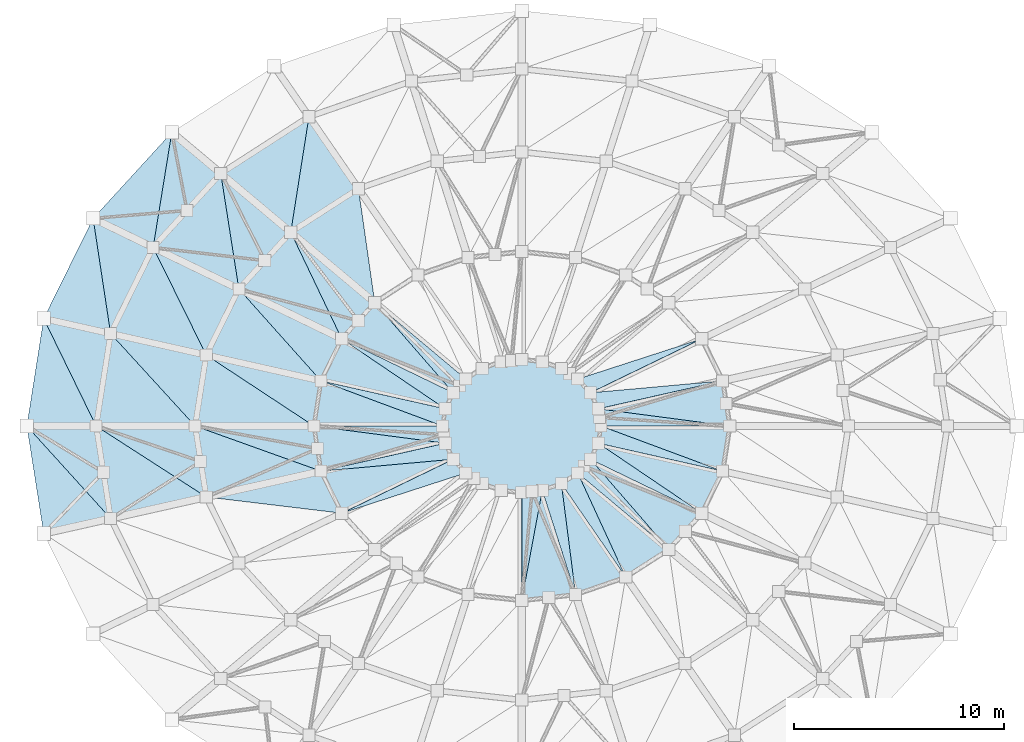
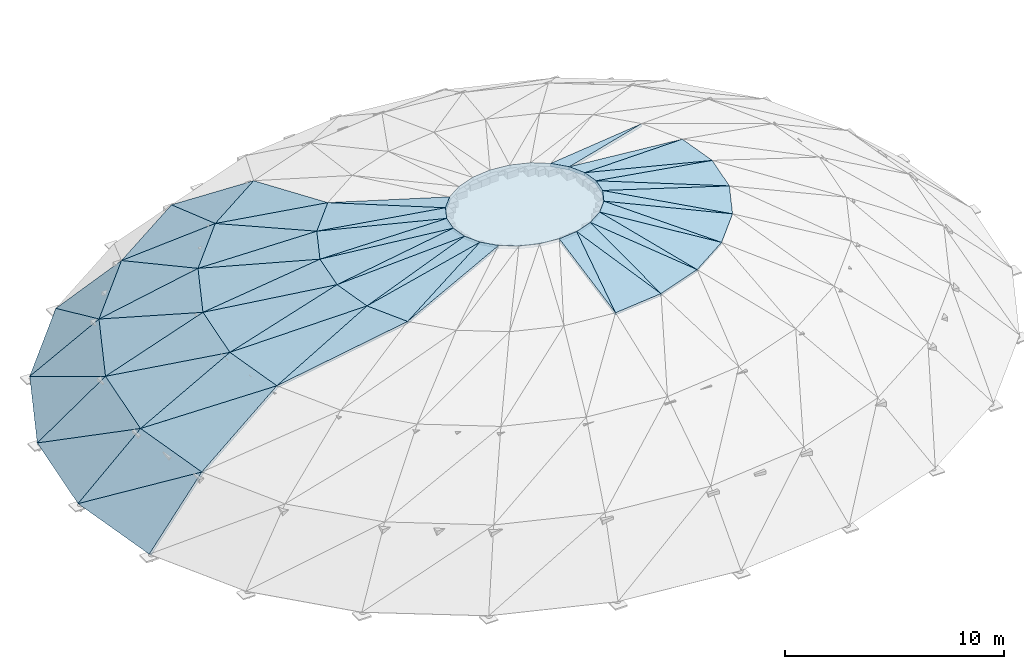
# One storey, part 6 of 11: 56 slabs.
"""IFC4 building model written with IfcOpenShell, lengths in metres."""

from ifc_helpers import new_model, si_unit, direction, frame, origin, place, context, subcontext, project, spatial, polyline, outline, extrude, material, layer, layer_set, type_object, element, save


model = new_model("IFC4")

# Units and contexts
model_context = context("Model", 3, precision=1e-05, world=origin(), true_north=direction((0.0, 1.0)))
body_context = subcontext(model_context, "Body", "Model", "MODEL_VIEW")
ifc_project = project(units=[si_unit("LENGTHUNIT", "METRE"), si_unit("AREAUNIT", "SQUARE_METRE"), si_unit("VOLUMEUNIT", "CUBIC_METRE"), si_unit("PLANEANGLEUNIT", "RADIAN"), si_unit("MASSUNIT", "GRAM", prefix="KILO")], contexts=[model_context])

# Site, building, storey
site_placement = place(None, origin())
site = spatial("IfcSite", under=ifc_project, at=site_placement, CompositionType="ELEMENT")
building_placement = place(site_placement, origin())
building = spatial("IfcBuilding", under=site, at=building_placement, Name="Parian Resonance Hall", CompositionType="ELEMENT")
storey_placement = place(building_placement, frame((0.0, 0.0, 27.60009765625)))
storey = spatial("IfcBuildingStorey", under=building, at=storey_placement, Name="ROOF", CompositionType="ELEMENT", Elevation=27.60009765625)

# Slabs
ifc_material_1 = material(Name="Concrete C35/45", Category="concrete")
ifc_layer_1 = layer(ifc_material_1, 0.159912109375)
ifc_layer_set_1 = layer_set([ifc_layer_1], Name="Concrete C35/45")
slab_type_1 = type_object("IfcSlabType", Name="SLB-DOME-160", PredefinedType="ROOF", material=ifc_layer_set_1)
slab_1_placement = place(storey_placement, frame((27.312255859375, 58.000732421875, -6.489990234375), z_axis=(-0.52118887834, 0.476662710547, 0.707922886669), x_axis=(-0.674882684077, -0.737925038695, 0.0)))
element("IfcSlab", 1, at=slab_1_placement, inside=storey, type_object=slab_type_1, Name="Main Concert Hall dome roof panel R1-10A", PredefinedType="ROOF", context=body_context, shape_type="SweptSolid", body=[
    extrude(outline(polyline([(0.0, 0.0), (5.557244791931365, -2.220446049250313e-16), (4.648938001719909, 4.303892271256128), (0.0, 0.0)])), origin(), (0.0, 0.0, -1.0), 0.159912109375),
])
slab_2_placement = place(storey_placement, frame((27.312255859375, 58.000732421875, -6.489990234375), z_axis=(-0.521153772231, 0.476668995412, 0.707944499592), x_axis=(-0.140349974122, -0.866069554756, 0.479818102085)))
element("IfcSlab", 2, at=slab_2_placement, inside=storey, type_object=slab_type_1, Name="Main Concert Hall dome roof panel R1-10B", PredefinedType="ROOF", context=body_context, shape_type="SweptSolid", body=[
    extrude(outline(polyline([(0.0, 0.0), (6.335306877051319, -2.220446049250313e-16), (2.82830527144801, 3.246895723326073), (0.0, 0.0)])), origin(), (0.0, 0.0, -1.0), 0.159912109375),
])
slab_3_placement = place(storey_placement, frame((23.561767578125, 53.89990234375, -6.489990234375), z_axis=(-0.619675759182, 0.305941145523, 0.72277380207), x_axis=(-0.442697046574, -0.896671246865, 0.0)))
element("IfcSlab", 3, at=slab_3_placement, inside=storey, type_object=slab_type_1, Name="Main Concert Hall dome roof panel R1-11A", PredefinedType="ROOF", context=body_context, shape_type="SweptSolid", body=[
    extrude(outline(polyline([(0.0, 0.0), (5.325687247911857, 2.220446049250313e-16), (4.556030102033177, 4.398585328576743), (0.0, 0.0)])), origin(), (0.0, 0.0, -1.0), 0.159912109375),
])
slab_4_placement = place(storey_placement, frame((23.561767578125, 53.89990234375, -6.489990234375), z_axis=(-0.619665594664, 0.305946303055, 0.72278033346), x_axis=(0.131653284698, -0.867331068559, 0.480004406375)))
element("IfcSlab", 4, at=slab_4_placement, inside=storey, type_object=slab_type_1, Name="Main Concert Hall dome roof panel R1-11B", PredefinedType="ROOF", context=body_context, shape_type="SweptSolid", body=[
    extrude(outline(polyline([(0.0, 0.0), (6.33284795201993, 0.0), (3.0379272062133946, 3.181117444778007), (0.0, 0.0)])), origin(), (0.0, 0.0, -1.0), 0.159912109375),
])
slab_5_placement = place(storey_placement, frame((21.2041015625, 49.12451171875, -6.489990234375), z_axis=(-0.673258687773, 0.105655746428, 0.731819378389), x_axis=(-0.155034419883, -0.98790906902, 0.0)))
element("IfcSlab", 5, at=slab_5_placement, inside=storey, type_object=slab_type_1, Name="Main Concert Hall dome roof panel R1-12A", PredefinedType="ROOF", context=body_context, shape_type="SweptSolid", body=[
    extrude(outline(polyline([(0.0, 0.0), (5.187230160600568, -1.1102230246251565e-16), (4.674965551542723, 4.46045632357856), (0.0, 0.0)])), origin(), (0.0, 0.0, -1.0), 0.159912109375),
])
slab_6_placement = place(storey_placement, frame((21.2041015625, 49.12451171875, -6.489990234375), z_axis=(-0.673290104899, 0.105625835202, 0.73179479199), x_axis=(0.386907105361, -0.793083998196, 0.470447301646)))
element("IfcSlab", 6, at=slab_6_placement, inside=storey, type_object=slab_type_1, Name="Main Concert Hall dome roof panel R1-12B", PredefinedType="ROOF", context=body_context, shape_type="SweptSolid", body=[
    extrude(outline(polyline([(0.0, 0.0), (6.461499324666305, 0.0), (3.233708452337362, 3.0794568774793047), (0.0, 0.0)])), origin(), (0.0, 0.0, -1.0), 0.159912109375),
])
slab_7_placement = place(storey_placement, frame((20.39990234375, 44.0, -6.489990234375), z_axis=(-0.673283575977, -0.10565965218, 0.731795917057), x_axis=(0.155034419883, -0.98790906902, 0.0)))
element("IfcSlab", 7, at=slab_7_placement, inside=storey, type_object=slab_type_1, Name="Main Concert Hall dome roof panel R1-13A", PredefinedType="ROOF", context=body_context, shape_type="SweptSolid", body=[
    extrude(outline(polyline([(0.0, 0.0), (5.187230160600568, 0.0), (4.973395466248725, 4.460291440978285), (0.0, 0.0)])), origin(), (0.0, 0.0, -1.0), 0.159912109375),
])
slab_8_placement = place(storey_placement, frame((20.39990234375, 44.0, -6.489990234375), z_axis=(-0.673261165671, -0.105621295213, 0.731822071816), x_axis=(0.598101224401, -0.65971668721, 0.455026172859)))
element("IfcSlab", 8, at=slab_8_placement, inside=storey, type_object=slab_type_1, Name="Main Concert Hall dome roof panel R1-13B", PredefinedType="ROOF", context=body_context, shape_type="SweptSolid", body=[
    extrude(outline(polyline([(0.0, 0.0), (6.6804836802560565, 0.0), (3.359431847975686, 2.9786411840051867), (0.0, 0.0)])), origin(), (0.0, 0.0, -1.0), 0.159912109375),
])
slab_9_placement = place(storey_placement, frame((33.85205078125, 58.74658203125, -3.4501953125), z_axis=(-0.286855152168, 0.445577873951, 0.848041555538), x_axis=(-0.84082444834, -0.54130790413, 0.0)))
element("IfcSlab", 9, at=slab_9_placement, inside=storey, type_object=slab_type_1, Name="Main Concert Hall dome roof panel R2-09A", PredefinedType="ROOF", context=body_context, shape_type="SweptSolid", body=[
    extrude(outline(polyline([(0.0, 0.0), (4.999104330187486, 2.220446049250313e-16), (3.708623408228049, 4.9064951499056475), (0.0, 0.0)])), origin(), (0.0, 0.0, -1.0), 0.159912109375),
])
slab_10_placement = place(storey_placement, frame((33.85205078125, 58.74658203125, -3.4501953125), z_axis=(-0.286845195065, 0.445577893533, 0.848044913235), x_axis=(-0.140798149985, -0.895241239528, 0.422751704916)))
element("IfcSlab", 10, at=slab_10_placement, inside=storey, type_object=slab_type_1, Name="Main Concert Hall dome roof panel R2-09B", PredefinedType="ROOF", context=body_context, shape_type="SweptSolid", body=[
    extrude(outline(polyline([(0.0, 0.0), (6.150413176373167, 0.0), (3.8371104568486585, 3.0605763550894673), (0.0, 0.0)])), origin(), (0.0, 0.0, -1.0), 0.159912109375),
])
slab_11_placement = place(storey_placement, frame((29.648681640625, 56.04052734375, -3.4501953125), z_axis=(-0.37841935447, 0.346118138543, 0.858487639011), x_axis=(-0.674912283642, -0.737897966788, 0.0)))
element("IfcSlab", 11, at=slab_11_placement, inside=storey, type_object=slab_type_1, Name="Main Concert Hall dome roof panel R2-10A", PredefinedType="ROOF", context=body_context, shape_type="SweptSolid", body=[
    extrude(outline(polyline([(0.0, 0.0), (4.779266899834884, -4.440892098500626e-16), (3.481487638516458, 5.0700545607304175), (0.0, 0.0)])), origin(), (0.0, 0.0, -1.0), 0.159912109375),
])
slab_12_placement = place(storey_placement, frame((29.648681640625, 56.04052734375, -3.4501953125), z_axis=(-0.378439438745, 0.346111985336, 0.858481266429), x_axis=(0.140165573475, -0.895336876161, 0.422759376241)))
element("IfcSlab", 12, at=slab_12_placement, inside=storey, type_object=slab_type_1, Name="Main Concert Hall dome roof panel R2-10B", PredefinedType="ROOF", context=body_context, shape_type="SweptSolid", body=[
    extrude(outline(polyline([(0.0, 0.0), (6.15030157194964, 1.1102230246251565e-16), (4.073991547619597, 3.0235126154711174), (0.0, 0.0)])), origin(), (0.0, 0.0, -1.0), 0.159912109375),
])
slab_13_placement = place(storey_placement, frame((26.423095703125, 52.513916015625, -3.4501953125), z_axis=(-0.445487373196, 0.21994962454, 0.867849735258), x_axis=(-0.442708885431, -0.896665401786, 0.0)))
element("IfcSlab", 13, at=slab_13_placement, inside=storey, type_object=slab_type_1, Name="Main Concert Hall dome roof panel R2-11A", PredefinedType="ROOF", context=body_context, shape_type="SweptSolid", body=[
    extrude(outline(polyline([(0.0, 0.0), (4.579957523669543, -2.220446049250313e-16), (3.480824783328268, 5.233408958149523), (0.0, 0.0)])), origin(), (0.0, 0.0, -1.0), 0.159912109375),
])
slab_14_placement = place(storey_placement, frame((26.423095703125, 52.513916015625, -3.4501953125), z_axis=(-0.445488249327, 0.219949039598, 0.867849433768), x_axis=(0.402765705881, -0.81648520953, 0.413680660395)))
element("IfcSlab", 14, at=slab_14_placement, inside=storey, type_object=slab_type_1, Name="Main Concert Hall dome roof panel R2-11B", PredefinedType="ROOF", context=body_context, shape_type="SweptSolid", body=[
    extrude(outline(polyline([(0.0, 0.0), (6.285277280714985, -2.220446049250313e-16), (4.33859870509257, 2.9268149131881556), (0.0, 0.0)])), origin(), (0.0, 0.0, -1.0), 0.159912109375),
])
slab_15_placement = place(storey_placement, frame((24.3955078125, 48.4072265625, -3.4501953125), z_axis=(-0.481128330901, 0.075479472253, 0.873394743786), x_axis=(-0.154984525505, -0.987916897747, 0.0)))
element("IfcSlab", 15, at=slab_15_placement, inside=storey, type_object=slab_type_1, Name="Main Concert Hall dome roof panel R2-12A", PredefinedType="ROOF", context=body_context, shape_type="SweptSolid", body=[
    extrude(outline(polyline([(0.0, 0.0), (4.461130862880468, 0.0), (3.729608443058335, 5.338867502541398), (0.0, 0.0)])), origin(), (0.0, 0.0, -1.0), 0.159912109375),
])
slab_16_placement = place(storey_placement, frame((24.3955078125, 48.4072265625, -3.4501953125), z_axis=(-0.481135100106, 0.075471491556, 0.873391704453), x_axis=(0.618583505224, -0.676726830877, 0.399243338624)))
element("IfcSlab", 16, at=slab_16_placement, inside=storey, type_object=slab_type_1, Name="Main Concert Hall dome roof panel R2-12B", PredefinedType="ROOF", context=body_context, shape_type="SweptSolid", body=[
    extrude(outline(polyline([(0.0, 0.0), (6.512563654063172, 8.881784197001252e-16), (4.55198874408036, 2.8064320012955086), (0.0, 0.0)])), origin(), (0.0, 0.0, -1.0), 0.159912109375),
])
slab_17_placement = place(storey_placement, frame((23.7041015625, 44.0, -3.4501953125), z_axis=(-0.481133273543, -0.075480247655, 0.873391953995), x_axis=(0.154984525505, -0.987916897747, 0.0)))
element("IfcSlab", 17, at=slab_17_placement, inside=storey, type_object=slab_type_1, Name="Main Concert Hall dome roof panel R2-13A", PredefinedType="ROOF", context=body_context, shape_type="SweptSolid", body=[
    extrude(outline(polyline([(0.0, 0.0), (4.461130862880468, 0.0), (4.154958493652965, 5.338812656804078), (0.0, 0.0)])), origin(), (0.0, 0.0, -1.0), 0.159912109375),
])
slab_18_placement = place(storey_placement, frame((23.7041015625, 44.0, -3.4501953125), z_axis=(-0.481128659264, -0.075470481237, 0.873395339864), x_axis=(0.776113728035, -0.499930413581, 0.384339775112)))
element("IfcSlab", 18, at=slab_18_placement, inside=storey, type_object=slab_type_1, Name="Main Concert Hall dome roof panel R2-13B", PredefinedType="ROOF", context=body_context, shape_type="SweptSolid", body=[
    extrude(outline(polyline([(0.0, 0.0), (6.765101674655772, -5.551115123125783e-16), (4.662555007089803, 2.7017053996053786), (0.0, 0.0)])), origin(), (0.0, 0.0, -1.0), 0.159912109375),
])
slab_19_placement = place(storey_placement, frame((36.2119140625, 55.317138671875, -0.85009765625), z_axis=(-0.18357102542, 0.285154474356, 0.940738329389), x_axis=(-0.840833011085, -0.541294603216, 0.0)))
element("IfcSlab", 19, at=slab_19_placement, inside=storey, type_object=slab_type_1, Name="Main Concert Hall dome roof panel R3-09A", PredefinedType="ROOF", context=body_context, shape_type="SweptSolid", body=[
    extrude(outline(polyline([(0.0, 0.0), (3.83646935312824, 2.220446049250313e-16), (2.2876344110409503, 5.307791433637107), (0.0, 0.0)])), origin(), (0.0, 0.0, -1.0), 0.159912109375),
])
slab_20_placement = place(storey_placement, frame((32.986083984375, 53.240478515625, -0.85009765625), z_axis=(-0.240428821429, 0.219890656727, 0.945432219099), x_axis=(-0.674886246736, -0.737921780385, 0.0)))
element("IfcSlab", 20, at=slab_20_placement, inside=storey, type_object=slab_type_1, Name="Main Concert Hall dome roof panel R3-10A", PredefinedType="ROOF", context=body_context, shape_type="SweptSolid", body=[
    extrude(outline(polyline([(0.0, 0.0), (3.6677911408702673, 0.0), (2.1105744165722493, 5.524692206756239), (0.0, 0.0)])), origin(), (0.0, 0.0, -1.0), 0.159912109375),
])
slab_21_placement = place(storey_placement, frame((32.986083984375, 53.240478515625, -0.85009765625), z_axis=(-0.240436878995, 0.219886427112, 0.945431153703), x_axis=(0.410869912836, -0.859388108653, 0.304364901773)))
element("IfcSlab", 21, at=slab_21_placement, inside=storey, type_object=slab_type_1, Name="Main Concert Hall dome roof panel R3-10B", PredefinedType="ROOF", context=body_context, shape_type="SweptSolid", body=[
    extrude(outline(polyline([(0.0, 0.0), (5.91411433329475, -4.440892098500626e-16), (5.081094209044392, 2.1803718076597685), (0.0, 0.0)])), origin(), (0.0, 0.0, -1.0), 0.159912109375),
])
slab_22_placement = place(storey_placement, frame((30.5107421875, 50.533935546875, -0.85009765625), z_axis=(-0.281201741503, 0.138836553086, 0.949552522035), x_axis=(-0.442707238803, -0.896666214771, 0.0)))
element("IfcSlab", 22, at=slab_22_placement, inside=storey, type_object=slab_type_1, Name="Main Concert Hall dome roof panel R3-11A", PredefinedType="ROOF", context=body_context, shape_type="SweptSolid", body=[
    extrude(outline(polyline([(0.0, 0.0), (3.5150822199271383, -2.220446049250313e-16), (2.195609198008576, 5.73980431448647), (0.0, 0.0)])), origin(), (0.0, 0.0, -1.0), 0.159912109375),
])
slab_23_placement = place(storey_placement, frame((30.5107421875, 50.533935546875, -0.85009765625), z_axis=(-0.28120073674, 0.138837515303, 0.949552678897), x_axis=(0.637067277799, -0.712986183254, 0.292909518534)))
element("IfcSlab", 23, at=slab_23_placement, inside=storey, type_object=slab_type_1, Name="Main Concert Hall dome roof panel R3-11B", PredefinedType="ROOF", context=body_context, shape_type="SweptSolid", body=[
    extrude(outline(polyline([(0.0, 0.0), (6.145409125434804, 1.1102230246251565e-16), (5.346279092066637, 2.089126079382889), (0.0, 0.0)])), origin(), (0.0, 0.0, -1.0), 0.159912109375),
])
slab_24_placement = place(storey_placement, frame((28.95458984375, 47.382080078125, -0.85009765625), z_axis=(-0.302545280362, 0.047457654965, 0.951952795214), x_axis=(-0.154966404102, -0.987919740465, 0.0)))
element("IfcSlab", 24, at=slab_24_placement, inside=storey, type_object=slab_type_1, Name="Main Concert Hall dome roof panel R3-12A", PredefinedType="ROOF", context=body_context, shape_type="SweptSolid", body=[
    extrude(outline(polyline([(0.0, 0.0), (3.4234360744067684, 1.1102230246251565e-16), (2.5457345097656887, 5.877810319758039), (0.0, 0.0)])), origin(), (0.0, 0.0, -1.0), 0.159912109375),
])
slab_25_placement = place(storey_placement, frame((28.95458984375, 47.382080078125, -0.85009765625), z_axis=(-0.3025241115, 0.047492442186, 0.951957787875), x_axis=(0.801399435121, -0.528002776312, 0.281019596459)))
element("IfcSlab", 25, at=slab_25_placement, inside=storey, type_object=slab_type_1, Name="Main Concert Hall dome roof panel R3-12B", PredefinedType="ROOF", context=body_context, shape_type="SweptSolid", body=[
    extrude(outline(polyline([(0.0, 0.0), (6.405421012647494, 1.6653345369377348e-16), (5.539762893077539, 1.9993473216651383), (0.0, 0.0)])), origin(), (0.0, 0.0, -1.0), 0.159912109375),
])
slab_26_placement = place(storey_placement, frame((28.424072265625, 44.0, -0.85009765625), z_axis=(-0.302532156564, -0.047455596348, 0.951957068685), x_axis=(0.154966404102, -0.987919740465, 0.0)))
element("IfcSlab", 26, at=slab_26_placement, inside=storey, type_object=slab_type_1, Name="Main Concert Hall dome roof panel R3-13A", PredefinedType="ROOF", context=body_context, shape_type="SweptSolid", body=[
    extrude(outline(polyline([(0.0, 0.0), (3.4234360744067684, -5.551115123125783e-17), (3.056406138667769, 5.87806529824566), (0.0, 0.0)])), origin(), (0.0, 0.0, -1.0), 0.159912109375),
])
slab_27_placement = place(storey_placement, frame((28.424072265625, 44.0, -0.85009765625), z_axis=(-0.30254473295, -0.047495679492, 0.951951072794), x_axis=(0.905891040228, -0.324872286159, 0.27169729649)))
element("IfcSlab", 27, at=slab_27_placement, inside=storey, type_object=slab_type_1, Name="Main Concert Hall dome roof panel R3-13B", PredefinedType="ROOF", context=body_context, shape_type="SweptSolid", body=[
    extrude(outline(polyline([(0.0, 0.0), (6.625199629816889, 1.1102230246251565e-16), (5.619870705389183, 1.932890955624757), (0.0, 0.0)])), origin(), (0.0, 0.0, -1.0), 0.159912109375),
])
slab_28_placement = place(storey_placement, frame((28.95458984375, 40.617919921875, -0.85009765625), z_axis=(-0.281201418551, -0.138837851934, 0.949552427765), x_axis=(0.95693656087, -0.114907594289, 0.266587065038)))
element("IfcSlab", 28, at=slab_28_placement, inside=storey, type_object=slab_type_1, Name="Main Concert Hall dome roof panel R3-14B", PredefinedType="ROOF", context=body_context, shape_type="SweptSolid", body=[
    extrude(outline(polyline([(0.0, 0.0), (6.752198678015929, 5.551115123125783e-17), (5.574146779097644, 1.9013811583277436), (0.0, 0.0)])), origin(), (0.0, 0.0, -1.0), 0.159912109375),
])
slab_29_placement = place(storey_placement, frame((53.912109375, 44.0, 0.949951171875), z_axis=(0.162360648231, 0.025488559114, 0.986402226914), x_axis=(-0.155087856552, 0.987900681622, 0.0)))
element("IfcSlab", 29, at=slab_29_placement, inside=storey, type_object=slab_type_1, Name="Main Concert Hall dome roof panel R4-01A", PredefinedType="ROOF", context=body_context, shape_type="SweptSolid", body=[
    extrude(outline(polyline([(0.0, 0.0), (2.178704590491091, 0.0), (1.7815136659857258, 6.145512147059733), (0.0, 0.0)])), origin(), (0.0, 0.0, -1.0), 0.159912109375),
])
slab_30_placement = place(storey_placement, frame((53.912109375, 44.0, 0.949951171875), z_axis=(0.162359654267, 0.025480505598, 0.986402598588), x_axis=(-0.979115260481, 0.128127081746, 0.157850427988)))
element("IfcSlab", 30, at=slab_30_placement, inside=storey, type_object=slab_type_1, Name="Main Concert Hall dome roof panel R4-01B", PredefinedType="ROOF", context=body_context, shape_type="SweptSolid", body=[
    extrude(outline(polyline([(0.0, 0.0), (6.398524086986984, 2.636779683484747e-16), (6.1675073675587315, 0.7970551821439218), (0.0, 0.0)])), origin(), (0.0, 0.0, -1.0), 0.159912109375),
])
slab_31_placement = place(storey_placement, frame((53.57421875, 46.15234375, 0.949951171875), z_axis=(0.151190310318, 0.074629082889, 0.985683514143), x_axis=(-0.983518595641, -0.088669788965, 0.15757169972)))
element("IfcSlab", 31, at=slab_31_placement, inside=storey, type_object=slab_type_1, Name="Main Concert Hall dome roof panel R4-02B", PredefinedType="ROOF", context=body_context, shape_type="SweptSolid", body=[
    extrude(outline(polyline([(0.0, 0.0), (6.409842423608897, 0.0), (6.106619818431762, 0.7964135692619715), (0.0, 0.0)])), origin(), (0.0, 0.0, -1.0), 0.159912109375),
])
slab_32_placement = place(storey_placement, frame((52.583984375, 48.157958984375, 0.949951171875), z_axis=(0.129658216516, 0.118608074506, 0.98443936916), x_axis=(-0.938919185329, -0.30449756935, 0.16034959832)))
element("IfcSlab", 32, at=slab_32_placement, inside=storey, type_object=slab_type_1, Name="Main Concert Hall dome roof panel R4-03B", PredefinedType="ROOF", context=body_context, shape_type="SweptSolid", body=[
    extrude(outline(polyline([(0.0, 0.0), (6.298798227165297, 1.249000902703301e-16), (5.935107214300637, 0.8112889323370273), (0.0, 0.0)])), origin(), (0.0, 0.0, -1.0), 0.159912109375),
])
slab_33_placement = place(storey_placement, frame((36.9912109375, 49.88037109375, 0.949951171875), z_axis=(-0.129669089383, 0.118586104139, 0.984440583867), x_axis=(-0.674866861926, -0.737939508817, 0.0)))
element("IfcSlab", 33, at=slab_33_placement, inside=storey, type_object=slab_type_1, Name="Main Concert Hall dome roof panel R4-10A", PredefinedType="ROOF", context=body_context, shape_type="SweptSolid", body=[
    extrude(outline(polyline([(0.0, 0.0), (2.3340830634413186, 0.0), (0.647301843903759, 5.747908880139925), (0.0, 0.0)])), origin(), (0.0, 0.0, -1.0), 0.159912109375),
])
slab_34_placement = place(storey_placement, frame((36.9912109375, 49.88037109375, 0.949951171875), z_axis=(-0.12965127015, 0.118601720144, 0.984441049595), x_axis=(0.646371554742, -0.742774364657, 0.174614021286)))
element("IfcSlab", 34, at=slab_34_placement, inside=storey, type_object=slab_type_1, Name="Main Concert Hall dome roof panel R4-10B", PredefinedType="ROOF", context=body_context, shape_type="SweptSolid", body=[
    extrude(outline(polyline([(0.0, 0.0), (5.784242056787787, 1.1449174941446927e-16), (5.684863776446919, 0.8835071261555091), (0.0, 0.0)])), origin(), (0.0, 0.0, -1.0), 0.159912109375),
])
slab_35_placement = place(storey_placement, frame((35.416015625, 48.157958984375, 0.949951171875), z_axis=(-0.151186514817, 0.074645466111, 0.985682855754), x_axis=(-0.442710977497, -0.896664368871, 0.0)))
element("IfcSlab", 35, at=slab_35_placement, inside=storey, type_object=slab_type_1, Name="Main Concert Hall dome roof panel R4-11A", PredefinedType="ROOF", context=body_context, shape_type="SweptSolid", body=[
    extrude(outline(polyline([(0.0, 0.0), (2.2367513464372224, -2.220446049250313e-16), (0.8076253026367177, 5.990215265839723), (0.0, 0.0)])), origin(), (0.0, 0.0, -1.0), 0.159912109375),
])
slab_36_placement = place(storey_placement, frame((35.416015625, 48.157958984375, 0.949951171875), z_axis=(-0.151195713287, 0.074631749849, 0.985682483459), x_axis=(0.81674878387, -0.552267747483, 0.167098052464)))
element("IfcSlab", 36, at=slab_36_placement, inside=storey, type_object=slab_type_1, Name="Main Concert Hall dome roof panel R4-11B", PredefinedType="ROOF", context=body_context, shape_type="SweptSolid", body=[
    extrude(outline(polyline([(0.0, 0.0), (6.044413748293405, -4.85722573273506e-17), (5.930468148063256, 0.8445323687006865), (0.0, 0.0)])), origin(), (0.0, 0.0, -1.0), 0.159912109375),
])
slab_37_placement = place(storey_placement, frame((34.42578125, 46.15234375, 0.949951171875), z_axis=(-0.16235962159, 0.025488397945, 0.986402400062), x_axis=(-0.155087856552, -0.987900681622, 0.0)))
element("IfcSlab", 37, at=slab_37_placement, inside=storey, type_object=slab_type_1, Name="Main Concert Hall dome roof panel R4-12A", PredefinedType="ROOF", context=body_context, shape_type="SweptSolid", body=[
    extrude(outline(polyline([(0.0, 0.0), (2.178704590491091, 5.551115123125783e-17), (1.2270497597815124, 6.145551006660089), (0.0, 0.0)])), origin(), (0.0, 0.0, -1.0), 0.159912109375),
])
slab_38_placement = place(storey_placement, frame((34.42578125, 46.15234375, 0.949951171875), z_axis=(-0.162362349609, 0.025480928602, 0.98640214401), x_axis=(0.925239464444, -0.343448889202, 0.161166975343)))
element("IfcSlab", 38, at=slab_38_placement, inside=storey, type_object=slab_type_1, Name="Main Concert Hall dome roof panel R4-12B", PredefinedType="ROOF", context=body_context, shape_type="SweptSolid", body=[
    extrude(outline(polyline([(0.0, 0.0), (6.266853140806852, 2.983724378680108e-16), (6.104328684708926, 0.8137883565202603), (0.0, 0.0)])), origin(), (0.0, 0.0, -1.0), 0.159912109375),
])
slab_39_placement = place(storey_placement, frame((34.087890625, 44.0, 0.949951171875), z_axis=(-0.162360648231, -0.025488559114, 0.986402226914), x_axis=(0.155087856552, -0.987900681622, 0.0)))
element("IfcSlab", 39, at=slab_39_placement, inside=storey, type_object=slab_type_1, Name="Main Concert Hall dome roof panel R4-13A", PredefinedType="ROOF", context=body_context, shape_type="SweptSolid", body=[
    extrude(outline(polyline([(0.0, 0.0), (2.178704590491091, 0.0), (1.7815136659857258, 6.145512147059733), (0.0, 0.0)])), origin(), (0.0, 0.0, -1.0), 0.159912109375),
])
slab_40_placement = place(storey_placement, frame((34.087890625, 44.0, 0.949951171875), z_axis=(-0.162359654267, -0.025480505598, 0.986402598588), x_axis=(0.979115260481, -0.128127081746, 0.157850427988)))
element("IfcSlab", 40, at=slab_40_placement, inside=storey, type_object=slab_type_1, Name="Main Concert Hall dome roof panel R4-13B", PredefinedType="ROOF", context=body_context, shape_type="SweptSolid", body=[
    extrude(outline(polyline([(0.0, 0.0), (6.398524086986984, 2.636779683484747e-16), (6.1675073675587315, 0.7970551821439218), (0.0, 0.0)])), origin(), (0.0, 0.0, -1.0), 0.159912109375),
])
slab_41_placement = place(storey_placement, frame((34.42578125, 41.84765625, 0.949951171875), z_axis=(-0.151188573255, -0.074646482425, 0.985682463057), x_axis=(0.442710977497, -0.896664368871, 0.0)))
element("IfcSlab", 41, at=slab_41_placement, inside=storey, type_object=slab_type_1, Name="Main Concert Hall dome roof panel R4-14A", PredefinedType="ROOF", context=body_context, shape_type="SweptSolid", body=[
    extrude(outline(polyline([(0.0, 0.0), (2.2367513464372224, 0.0), (2.281310598195165, 5.990133708863165), (0.0, 0.0)])), origin(), (0.0, 0.0, -1.0), 0.159912109375),
])
slab_42_placement = place(storey_placement, frame((34.42578125, 41.84765625, 0.949951171875), z_axis=(-0.151190310318, -0.074629082889, 0.985683514143), x_axis=(0.983518595641, 0.088669788965, 0.15757169972)))
element("IfcSlab", 42, at=slab_42_placement, inside=storey, type_object=slab_type_1, Name="Main Concert Hall dome roof panel R4-14B", PredefinedType="ROOF", context=body_context, shape_type="SweptSolid", body=[
    extrude(outline(polyline([(0.0, 0.0), (6.409842423608897, 0.0), (6.106619818431762, 0.7964135692619715), (0.0, 0.0)])), origin(), (0.0, 0.0, -1.0), 0.159912109375),
])
slab_43_placement = place(storey_placement, frame((35.416015625, 39.842041015625, 0.949951171875), z_axis=(-0.129658216516, -0.118608074506, 0.98443936916), x_axis=(0.938919185329, 0.30449756935, 0.16034959832)))
element("IfcSlab", 43, at=slab_43_placement, inside=storey, type_object=slab_type_1, Name="Main Concert Hall dome roof panel R4-15B", PredefinedType="ROOF", context=body_context, shape_type="SweptSolid", body=[
    extrude(outline(polyline([(0.0, 0.0), (6.298798227165297, 1.249000902703301e-16), (5.935107214300637, 0.8112889323370273), (0.0, 0.0)])), origin(), (0.0, 0.0, -1.0), 0.159912109375),
])
slab_44_placement = place(storey_placement, frame((44.0, 35.68408203125, 0.949951171875), z_axis=(0.021248456311, -0.192481705958, 0.981070484713), x_axis=(0.993961925235, 0.109725526577, 0.0)))
element("IfcSlab", 44, at=slab_44_placement, inside=storey, type_object=slab_type_1, Name="Main Concert Hall dome roof panel R4-19A", PredefinedType="ROOF", context=body_context, shape_type="SweptSolid", body=[
    extrude(outline(polyline([(0.0, 0.0), (2.5810140432620883, 0.0), (1.5480958796069313, 5.215619043632306), (0.0, 0.0)])), origin(), (0.0, 0.0, -1.0), 0.159912109375),
])
slab_45_placement = place(storey_placement, frame((44.0, 35.68408203125, 0.949951171875), z_axis=(0.021253383853, -0.192482569149, 0.981070208624), x_axis=(0.179632555218, 0.966057868782, 0.185645735932)))
element("IfcSlab", 45, at=slab_45_placement, inside=storey, type_object=slab_type_1, Name="Main Concert Hall dome roof panel R4-19B", PredefinedType="ROOF", context=body_context, shape_type="SweptSolid", body=[
    extrude(outline(polyline([(0.0, 0.0), (5.440522296687692, 8.326672684688674e-17), (5.160720857102796, 0.9425821558627036), (0.0, 0.0)])), origin(), (0.0, 0.0, -1.0), 0.159912109375),
])
slab_46_placement = place(storey_placement, frame((46.5654296875, 35.96728515625, 0.949951171875), z_axis=(0.062378715488, -0.179492325024, 0.981779711092), x_axis=(0.944583955965, 0.32826993486, 0.0)))
element("IfcSlab", 46, at=slab_46_placement, inside=storey, type_object=slab_type_1, Name="Main Concert Hall dome roof panel R4-20A", PredefinedType="ROOF", context=body_context, shape_type="SweptSolid", body=[
    extrude(outline(polyline([(0.0, 0.0), (2.5308761438331464, 0.0), (1.0962937966320492, 5.315207877844826), (0.0, 0.0)])), origin(), (0.0, 0.0, -1.0), 0.159912109375),
])
slab_47_placement = place(storey_placement, frame((46.5654296875, 35.96728515625, 0.949951171875), z_axis=(0.062365771117, -0.179494078908, 0.981780212792), x_axis=(-0.124834922735, 0.974567122933, 0.186105252381)))
element("IfcSlab", 47, at=slab_47_placement, inside=storey, type_object=slab_type_1, Name="Main Concert Hall dome roof panel R4-20B", PredefinedType="ROOF", context=body_context, shape_type="SweptSolid", body=[
    extrude(outline(polyline([(0.0, 0.0), (5.427088987038779, -8.326672684688674e-17), (5.232410097996233, 0.9441856319049522), (0.0, 0.0)])), origin(), (0.0, 0.0, -1.0), 0.159912109375),
])
slab_48_placement = place(storey_placement, frame((48.9560546875, 36.798095703125, 0.949951171875), z_axis=(0.099350235417, -0.154320483907, 0.98301308179), x_axis=(0.840820882046, 0.541313443686, 0.0)))
element("IfcSlab", 48, at=slab_48_placement, inside=storey, type_object=slab_type_1, Name="Main Concert Hall dome roof panel R4-21A", PredefinedType="ROOF", context=body_context, shape_type="SweptSolid", body=[
    extrude(outline(polyline([(0.0, 0.0), (2.441345616922861, 0.0), (0.7637225805670678, 5.503075680618454), (0.0, 0.0)])), origin(), (0.0, 0.0, -1.0), 0.159912109375),
])
slab_49_placement = place(storey_placement, frame((48.9560546875, 36.798095703125, 0.949951171875), z_axis=(0.099384892628, -0.15430431948, 0.983012115951), x_axis=(-0.411484464541, 0.893102334187, 0.181793168497)))
element("IfcSlab", 49, at=slab_49_placement, inside=storey, type_object=slab_type_1, Name="Main Concert Hall dome roof panel R4-21B", PredefinedType="ROOF", context=body_context, shape_type="SweptSolid", body=[
    extrude(outline(polyline([(0.0, 0.0), (5.555818042978215, 5.585809592645319e-16), (5.427769855599455, 0.9212902312792531), (0.0, 0.0)])), origin(), (0.0, 0.0, -1.0), 0.159912109375),
])
slab_50_placement = place(storey_placement, frame((51.0087890625, 38.11962890625, 0.949951171875), z_axis=(0.129669089383, -0.118586104139, 0.984440583867), x_axis=(0.674866861926, 0.737939508817, 0.0)))
element("IfcSlab", 50, at=slab_50_placement, inside=storey, type_object=slab_type_1, Name="Main Concert Hall dome roof panel R4-22A", PredefinedType="ROOF", context=body_context, shape_type="SweptSolid", body=[
    extrude(outline(polyline([(0.0, 0.0), (2.3340830634413186, 0.0), (0.647301843903759, 5.747908880139925), (0.0, 0.0)])), origin(), (0.0, 0.0, -1.0), 0.159912109375),
])
slab_51_placement = place(storey_placement, frame((51.0087890625, 38.11962890625, 0.949951171875), z_axis=(0.12965127015, -0.118601720144, 0.984441049595), x_axis=(-0.646371554742, 0.742774364657, 0.174614021286)))
element("IfcSlab", 51, at=slab_51_placement, inside=storey, type_object=slab_type_1, Name="Main Concert Hall dome roof panel R4-22B", PredefinedType="ROOF", context=body_context, shape_type="SweptSolid", body=[
    extrude(outline(polyline([(0.0, 0.0), (5.784242056787787, 1.1449174941446927e-16), (5.684863776446919, 0.8835071261555091), (0.0, 0.0)])), origin(), (0.0, 0.0, -1.0), 0.159912109375),
])
slab_52_placement = place(storey_placement, frame((52.583984375, 39.842041015625, 0.949951171875), z_axis=(0.151186514817, -0.074645466111, 0.985682855754), x_axis=(0.442710977497, 0.896664368871, 0.0)))
element("IfcSlab", 52, at=slab_52_placement, inside=storey, type_object=slab_type_1, Name="Main Concert Hall dome roof panel R4-23A", PredefinedType="ROOF", context=body_context, shape_type="SweptSolid", body=[
    extrude(outline(polyline([(0.0, 0.0), (2.2367513464372224, -2.220446049250313e-16), (0.8076253026367177, 5.990215265839723), (0.0, 0.0)])), origin(), (0.0, 0.0, -1.0), 0.159912109375),
])
slab_53_placement = place(storey_placement, frame((52.583984375, 39.842041015625, 0.949951171875), z_axis=(0.151195713287, -0.074631749849, 0.985682483459), x_axis=(-0.81674878387, 0.552267747483, 0.167098052464)))
element("IfcSlab", 53, at=slab_53_placement, inside=storey, type_object=slab_type_1, Name="Main Concert Hall dome roof panel R4-23B", PredefinedType="ROOF", context=body_context, shape_type="SweptSolid", body=[
    extrude(outline(polyline([(0.0, 0.0), (6.044413748293405, -4.85722573273506e-17), (5.930468148063256, 0.8445323687006865), (0.0, 0.0)])), origin(), (0.0, 0.0, -1.0), 0.159912109375),
])
slab_54_placement = place(storey_placement, frame((53.57421875, 41.84765625, 0.949951171875), z_axis=(0.16235962159, -0.025488397945, 0.986402400062), x_axis=(0.155087856552, 0.987900681622, 0.0)))
element("IfcSlab", 54, at=slab_54_placement, inside=storey, type_object=slab_type_1, Name="Main Concert Hall dome roof panel R4-24A", PredefinedType="ROOF", context=body_context, shape_type="SweptSolid", body=[
    extrude(outline(polyline([(0.0, 0.0), (2.178704590491091, 5.551115123125783e-17), (1.2270497597815124, 6.145551006660089), (0.0, 0.0)])), origin(), (0.0, 0.0, -1.0), 0.159912109375),
])
slab_55_placement = place(storey_placement, frame((53.57421875, 41.84765625, 0.949951171875), z_axis=(0.162362349609, -0.025480928602, 0.98640214401), x_axis=(-0.925239464444, 0.343448889202, 0.161166975343)))
element("IfcSlab", 55, at=slab_55_placement, inside=storey, type_object=slab_type_1, Name="Main Concert Hall dome roof panel R4-24B", PredefinedType="ROOF", context=body_context, shape_type="SweptSolid", body=[
    extrude(outline(polyline([(0.0, 0.0), (6.266853140806852, 2.983724378680108e-16), (6.104328684708926, 0.8137883565202603), (0.0, 0.0)])), origin(), (0.0, 0.0, -1.0), 0.159912109375),
])
ifc_material_2 = material(Name="Concrete C35/45", Category="concrete")
ifc_layer_2 = layer(ifc_material_2, 0.169921875)
ifc_layer_set_2 = layer_set([ifc_layer_2], Name="Concrete C35/45")
slab_type_2 = type_object("IfcSlabType", Name="SLB-ROOF-170", PredefinedType="ROOF", material=ifc_layer_set_2)
slab_56_placement = place(storey_placement, frame((0.0, 0.0, 1.7998046875)))
element("IfcSlab", 56, at=slab_56_placement, inside=storey, type_object=slab_type_2, Name="Main Concert Hall dome crown acoustic cap slab", PredefinedType="ROOF", context=body_context, shape_type="SweptSolid", body=[
    extrude(outline(polyline([(47.77587890625, 44.0), (47.647216796875, 44.81982421875), (47.27001953125, 45.583984375), (46.669921875, 46.239990234375), (45.887939453125, 46.74365234375), (44.977294921875, 47.06005859375), (44.0, 47.16796875), (43.022705078125, 47.06005859375), (42.112060546875, 46.74365234375), (41.330078125, 46.239990234375), (40.72998046875, 45.583984375), (40.352783203125, 44.81982421875), (40.22412109375, 44.0), (40.352783203125, 43.18017578125), (40.72998046875, 42.416015625), (41.330078125, 41.760009765625), (42.112060546875, 41.25634765625), (43.022705078125, 40.93994140625), (44.0, 40.83203125), (44.977294921875, 40.93994140625), (45.887939453125, 41.25634765625), (46.669921875, 41.760009765625), (47.27001953125, 42.416015625), (47.647216796875, 43.18017578125), (47.77587890625, 44.0)])), origin(), (0.0, 0.0, 1.0), 0.170166015625),
])

save(model, "model.ifc")
